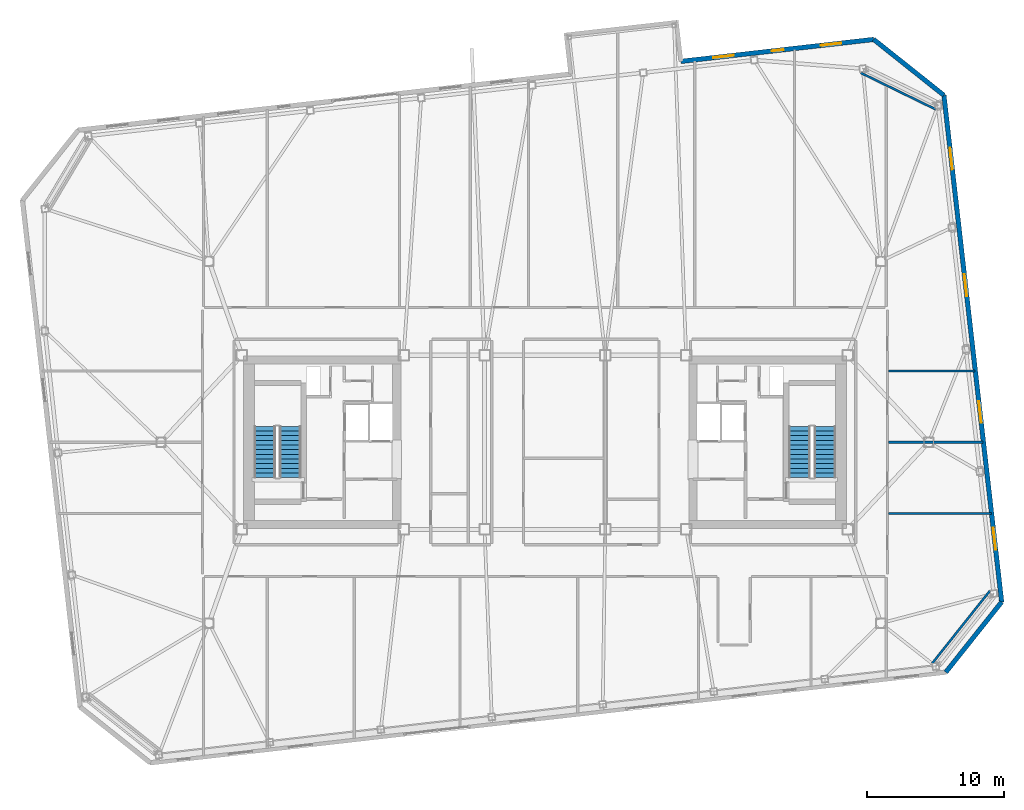
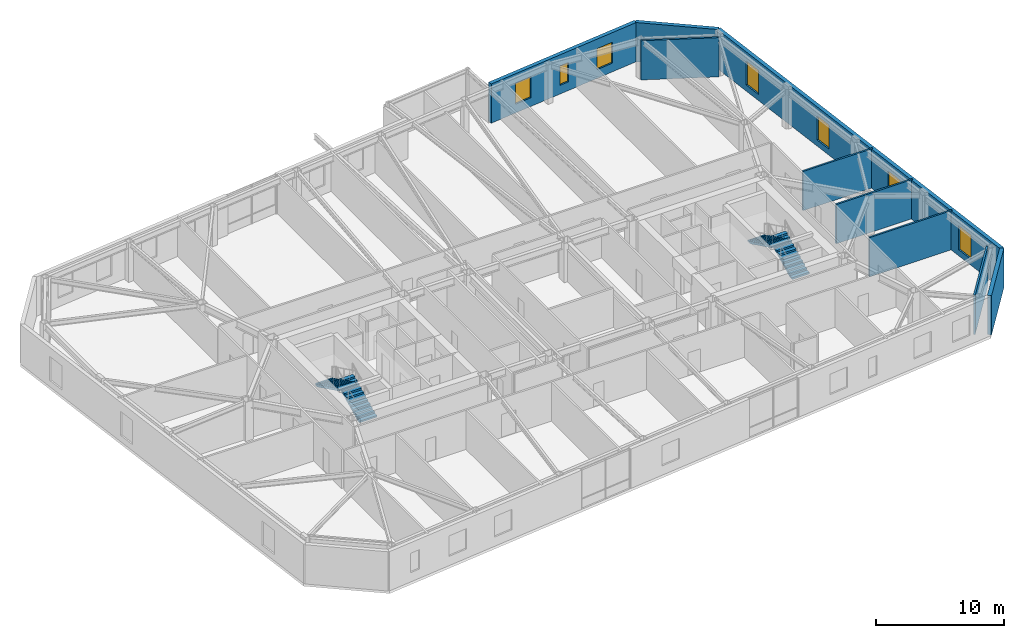
# One storey, part 18 of 21: 9 walls, 7 windows, 4 stair flights, 7 openings, 2 elements without a shape of their own.
"""IFC4 building model written with IfcOpenShell, lengths in metres."""

from ifc_helpers import new_model, si_unit, direction, frame, frame_2d, origin, place, context, subcontext, project, spatial, polyline, rectangle, outline, extrude, material, layer, layer_set, type_object, element, fill, aggregate, save


model = new_model("IFC4")

# Units and contexts
model_context = context("Model", 3, precision=1e-05, world=origin(), true_north=direction((0.0, 1.0)))
body_context = subcontext(model_context, "Body", "Model", "MODEL_VIEW")
ifc_project = project(units=[si_unit("LENGTHUNIT", "METRE"), si_unit("AREAUNIT", "SQUARE_METRE"), si_unit("VOLUMEUNIT", "CUBIC_METRE"), si_unit("PLANEANGLEUNIT", "RADIAN"), si_unit("MASSUNIT", "GRAM", prefix="KILO")], contexts=[model_context])

# Site, building, storey
site_placement = place(None, origin())
site = spatial("IfcSite", under=ifc_project, at=site_placement, CompositionType="ELEMENT")
building_placement = place(site_placement, origin())
building = spatial("IfcBuilding", under=site, at=building_placement, Name="Tavrogorsk Clinical Tower", CompositionType="ELEMENT")
storey_placement = place(building_placement, frame((0.0, 0.0, 247.0)))
storey = spatial("IfcBuildingStorey", under=building, at=storey_placement, Name="L57", CompositionType="ELEMENT", Elevation=247.0)

# Walls
ifc_material_1 = material(Name="Lightweight concrete blockwork B15", Category="masonry")
ifc_layer_1 = layer(ifc_material_1, 0.159912109375)
ifc_layer_set_1 = layer_set([ifc_layer_1], Name="Lightweight concrete blockwork B15")
wall_type_1 = type_object("IfcWallType", Name="PartitionWall_160", PredefinedType="PARTITIONING", material=ifc_layer_set_1)
wall_1_placement = place(storey_placement, frame((28.242431640625, -16.1337890625, 0.0), z_axis=(0.0, 0.0, 1.0), x_axis=(0.622521563328, 0.782602647064, 0.0)))
element("IfcWall", 1, at=wall_1_placement, inside=storey, type_object=wall_type_1, Name="L57 Corner Exoskeleton Brace Furring Wall 1", PredefinedType="PARTITIONING", context=body_context, shape_type="SweptSolid", body=[
    extrude(rectangle(XDim=6.788330078125, YDim=0.159912109375, at=frame_2d((3.39404296875, 0.0))), origin(), (0.0, 0.0, 1.0), 3.739990234375),
])
wall_2_placement = place(storey_placement, frame((28.5283203125, 24.27099609375, 0.0), z_axis=(0.0, 0.0, 1.0), x_axis=(-0.898820692789, 0.438316509173, 0.0)))
element("IfcWall", 2, at=wall_2_placement, inside=storey, type_object=wall_type_1, Name="L57 Corner Exoskeleton Brace Furring Wall 2", PredefinedType="PARTITIONING", context=body_context, shape_type="SweptSolid", body=[
    extrude(rectangle(XDim=6.10693359375, YDim=0.159912109375, at=frame_2d((3.053466796875, 0.0))), origin(), (0.0, 0.0, 1.0), 3.739990234375),
])
wall_3_placement = place(storey_placement, frame((25.06494140625, -5.199951171875, 0.0), z_axis=(0.0, 0.0, 1.0), x_axis=(1.0, 0.0, 0.0)))
element("IfcWall", 3, at=wall_3_placement, inside=storey, type_object=wall_type_1, Name="L57 E Wing Divider 1", PredefinedType="PARTITIONING", context=body_context, shape_type="SweptSolid", body=[
    extrude(rectangle(XDim=7.498046875, YDim=0.159912109375, at=frame_2d((3.7490234375, 0.0))), origin(), (0.0, 0.0, 1.0), 3.739990234375),
])
wall_4_placement = place(storey_placement, frame((25.06494140625, 0.0, 0.0), z_axis=(0.0, 0.0, 1.0), x_axis=(1.0, 0.0, 0.0)))
element("IfcWall", 4, at=wall_4_placement, inside=storey, type_object=wall_type_1, Name="L57 E Wing Divider 2", PredefinedType="PARTITIONING", context=body_context, shape_type="SweptSolid", body=[
    extrude(rectangle(XDim=6.905517578125, YDim=0.159912109375, at=frame_2d((3.45263671875, 0.0))), origin(), (0.0, 0.0, 1.0), 3.739990234375),
])
wall_5_placement = place(storey_placement, frame((25.06494140625, 5.199951171875, 0.0), z_axis=(0.0, 0.0, 1.0), x_axis=(1.0, 0.0, 0.0)))
element("IfcWall", 5, at=wall_5_placement, inside=storey, type_object=wall_type_1, Name="L57 E Wing Divider 3", PredefinedType="PARTITIONING", context=body_context, shape_type="SweptSolid", body=[
    extrude(rectangle(XDim=6.313232421875, YDim=0.159912109375, at=frame_2d((3.15673828125, 0.0))), origin(), (0.0, 0.0, 1.0), 3.739990234375),
])

# Wall, openings, windows
ifc_material_2 = material(Name="Precast concrete B45 with limestone cladding", Category="masonry")
ifc_layer_2 = layer(ifc_material_2, 0.340087890625)
ifc_layer_set_2 = layer_set([ifc_layer_2], Name="Precast concrete B45 with limestone cladding")
wall_type_2 = type_object("IfcWallType", Name="PrecastLimestoneWall_340", PredefinedType="STANDARD", material=ifc_layer_set_2)
wall_6_placement = place(storey_placement, frame((23.982666015625, 29.38623046875, 0.0), z_axis=(0.0, 0.0, 1.0), x_axis=(-0.993572041858, -0.113201579666, 0.0)))
wall_6 = element("IfcWall", 6, at=wall_6_placement, inside=storey, type_object=wall_type_2, Name="L57 N Limestone Facade Wall 1", PredefinedType="STANDARD", context=body_context, shape_type="SweptSolid", body=[
    extrude(rectangle(XDim=14.150146484375, YDim=0.340087890625, at=frame_2d((7.0751953125, 0.0))), origin(), (0.0, 0.0, 1.0), 3.739990234375),
])
opening_1_placement = place(wall_6_placement, frame((10.27880859375, 0.0, 0.830078125)))
opening_1 = element("IfcOpeningElement", 7, at=opening_1_placement, cuts=wall_6, Name="Opening WN-05", PredefinedType="OPENING", context=body_context, shape_type="SweptSolid", body=[
    extrude(rectangle(XDim=1.5, YDim=2.0, at=frame_2d((0.75, 1.0))), frame((0.0, 0.179931640625, 0.0), z_axis=(0.0, -1.0, 0.0), x_axis=(1.0, 0.0, 0.0)), (0.0, 0.0, 1.0), 0.360107421875),
])
opening_2_placement = place(wall_6_placement, frame((6.623046875, 0.0, 0.830078125)))
opening_2 = element("IfcOpeningElement", 8, at=opening_2_placement, cuts=wall_6, Name="Opening WN-06", PredefinedType="OPENING", context=body_context, shape_type="SweptSolid", body=[
    extrude(rectangle(XDim=0.85009765625, YDim=1.85009765625, at=frame_2d((0.425048828125, 0.925048828125))), frame((0.0, 0.179931640625, 0.0), z_axis=(0.0, -1.0, 0.0), x_axis=(1.0, 0.0, 0.0)), (0.0, 0.0, 1.0), 0.360107421875),
])
opening_3_placement = place(wall_6_placement, frame((2.385986328125, 0.0, 0.830078125)))
opening_3 = element("IfcOpeningElement", 9, at=opening_3_placement, cuts=wall_6, Name="Opening WN-05", PredefinedType="OPENING", context=body_context, shape_type="SweptSolid", body=[
    extrude(rectangle(XDim=1.5, YDim=2.0, at=frame_2d((0.75, 1.0))), frame((0.0, 0.179931640625, 0.0), z_axis=(0.0, -1.0, 0.0), x_axis=(1.0, 0.0, 0.0)), (0.0, 0.0, 1.0), 0.360107421875),
])
ifc_material_3 = material(Name="Thermally broken aluminium frame and triple IGU", Category="aluminium")
window_type_1 = type_object("IfcWindowType", Name="ConsultWin_1500x2000", PartitioningType="SINGLE_PANEL", PredefinedType="WINDOW", material=ifc_material_3)
window_1_placement = place(opening_1_placement, origin())
window_1 = element("IfcWindow", 10, at=window_1_placement, inside=storey, type_object=window_type_1, Name="L57 N Chicago Window 08", OverallHeight=2.0, OverallWidth=1.5, PartitioningType="SINGLE_PANEL", PredefinedType="WINDOW", context=body_context, shape_type="SweptSolid", body=[
    extrude(rectangle(XDim=1.5, YDim=2.0, at=frame_2d((0.75, 1.0))), frame((0.0, 0.030029296875, 0.0), z_axis=(0.0, -1.0, 0.0), x_axis=(1.0, 0.0, 0.0)), (0.0, 0.0, 1.0), 0.06005859375),
])
fill(opening_1, window_1)
window_2_placement = place(opening_3_placement, origin())
window_2 = element("IfcWindow", 11, at=window_2_placement, inside=storey, type_object=window_type_1, Name="L57 N Chicago Window 10", OverallHeight=2.0, OverallWidth=1.5, PartitioningType="SINGLE_PANEL", PredefinedType="WINDOW", context=body_context, shape_type="SweptSolid", body=[
    extrude(rectangle(XDim=1.5, YDim=2.0, at=frame_2d((0.75, 1.0))), frame((0.0, 0.030029296875, 0.0), z_axis=(0.0, -1.0, 0.0), x_axis=(1.0, 0.0, 0.0)), (0.0, 0.0, 1.0), 0.06005859375),
])
fill(opening_3, window_2)
ifc_material_4 = material(Name="Thermally broken aluminium frame and triple IGU", Category="aluminium")
window_type_2 = type_object("IfcWindowType", Name="MullionSubWin_850x1850", PartitioningType="SINGLE_PANEL", PredefinedType="WINDOW", material=ifc_material_4)
window_3_placement = place(opening_2_placement, origin())
window_3 = element("IfcWindow", 12, at=window_3_placement, inside=storey, type_object=window_type_2, Name="L57 N Mullion Split Window 09B", OverallHeight=1.85009765625, OverallWidth=0.85009765625, PartitioningType="SINGLE_PANEL", PredefinedType="WINDOW", context=body_context, shape_type="SweptSolid", body=[
    extrude(rectangle(XDim=0.85009765625, YDim=1.85009765625, at=frame_2d((0.425048828125, 0.925048828125))), frame((0.0, 0.030029296875, 0.0), z_axis=(0.0, -1.0, 0.0), x_axis=(1.0, 0.0, 0.0)), (0.0, 0.0, 1.0), 0.06005859375),
])
fill(opening_2, window_3)

wall_7_placement = place(storey_placement, frame((33.318115234375, -11.65087890625, 0.0), z_axis=(0.0, 0.0, 1.0), x_axis=(-0.11320360501, 0.9935718111, 0.0)))
wall_7 = element("IfcWall", 13, at=wall_7_placement, inside=storey, type_object=wall_type_2, Name="L57 E Pleated Limestone Wing Wall", PredefinedType="STANDARD", context=body_context, shape_type="SweptSolid", body=[
    extrude(rectangle(XDim=37.199951171875, YDim=0.340087890625, at=frame_2d((18.60009765625, 0.0))), origin(), (0.0, 0.0, 1.0), 3.739990234375),
])
opening_4_placement = place(wall_7_placement, frame((3.85009765625, 0.0, 0.580078125)))
opening_4 = element("IfcOpeningElement", 14, at=opening_4_placement, cuts=wall_7, Name="Opening WN-07", PredefinedType="OPENING", context=body_context, shape_type="SweptSolid", body=[
    extrude(rectangle(XDim=1.60009765625, YDim=2.300048828125, at=frame_2d((0.800048828125, 1.14990234375))), frame((0.0, 0.179931640625, 0.0), z_axis=(0.0, -1.0, 0.0), x_axis=(1.0, 0.0, 0.0)), (0.0, 0.0, 1.0), 0.360107421875),
])
opening_5_placement = place(wall_7_placement, frame((13.14990234375, 0.0, 0.580078125)))
opening_5 = element("IfcOpeningElement", 15, at=opening_5_placement, cuts=wall_7, Name="Opening WN-07", PredefinedType="OPENING", context=body_context, shape_type="SweptSolid", body=[
    extrude(rectangle(XDim=1.60009765625, YDim=2.300048828125, at=frame_2d((0.800048828125, 1.14990234375))), frame((0.0, 0.179931640625, 0.0), z_axis=(0.0, -1.0, 0.0), x_axis=(1.0, 0.0, 0.0)), (0.0, 0.0, 1.0), 0.360107421875),
])
opening_6_placement = place(wall_7_placement, frame((22.449951171875, 0.0, 0.580078125)))
opening_6 = element("IfcOpeningElement", 16, at=opening_6_placement, cuts=wall_7, Name="Opening WN-07", PredefinedType="OPENING", context=body_context, shape_type="SweptSolid", body=[
    extrude(rectangle(XDim=1.60009765625, YDim=2.300048828125, at=frame_2d((0.800048828125, 1.14990234375))), frame((0.0, 0.179931640625, 0.0), z_axis=(0.0, -1.0, 0.0), x_axis=(1.0, 0.0, 0.0)), (0.0, 0.0, 1.0), 0.360107421875),
])
opening_7_placement = place(wall_7_placement, frame((31.75, 0.0, 0.580078125)))
opening_7 = element("IfcOpeningElement", 17, at=opening_7_placement, cuts=wall_7, Name="Opening WN-07", PredefinedType="OPENING", context=body_context, shape_type="SweptSolid", body=[
    extrude(rectangle(XDim=1.60009765625, YDim=2.300048828125, at=frame_2d((0.800048828125, 1.14990234375))), frame((0.0, 0.179931640625, 0.0), z_axis=(0.0, -1.0, 0.0), x_axis=(1.0, 0.0, 0.0)), (0.0, 0.0, 1.0), 0.360107421875),
])
ifc_material_5 = material(Name="Thermally broken aluminium frame and triple IGU", Category="aluminium")
window_type_3 = type_object("IfcWindowType", Name="PleatSlotWin_1600x2300", PartitioningType="SINGLE_PANEL", PredefinedType="WINDOW", material=ifc_material_5)
window_4_placement = place(opening_4_placement, origin())
window_4 = element("IfcWindow", 18, at=window_4_placement, inside=storey, type_object=window_type_3, Name="L57 E Pleat Slot Window 1", OverallHeight=2.300048828125, OverallWidth=1.60009765625, PartitioningType="SINGLE_PANEL", PredefinedType="WINDOW", context=body_context, shape_type="SweptSolid", body=[
    extrude(rectangle(XDim=1.60009765625, YDim=2.300048828125, at=frame_2d((0.800048828125, 1.14990234375))), frame((0.0, 0.030029296875, 0.0), z_axis=(0.0, -1.0, 0.0), x_axis=(1.0, 0.0, 0.0)), (0.0, 0.0, 1.0), 0.06005859375),
])
fill(opening_4, window_4)
window_5_placement = place(opening_5_placement, origin())
window_5 = element("IfcWindow", 19, at=window_5_placement, inside=storey, type_object=window_type_3, Name="L57 E Pleat Slot Window 2", OverallHeight=2.300048828125, OverallWidth=1.60009765625, PartitioningType="SINGLE_PANEL", PredefinedType="WINDOW", context=body_context, shape_type="SweptSolid", body=[
    extrude(rectangle(XDim=1.60009765625, YDim=2.300048828125, at=frame_2d((0.800048828125, 1.14990234375))), frame((0.0, 0.030029296875, 0.0), z_axis=(0.0, -1.0, 0.0), x_axis=(1.0, 0.0, 0.0)), (0.0, 0.0, 1.0), 0.06005859375),
])
fill(opening_5, window_5)
window_6_placement = place(opening_6_placement, origin())
window_6 = element("IfcWindow", 20, at=window_6_placement, inside=storey, type_object=window_type_3, Name="L57 E Pleat Slot Window 3", OverallHeight=2.300048828125, OverallWidth=1.60009765625, PartitioningType="SINGLE_PANEL", PredefinedType="WINDOW", context=body_context, shape_type="SweptSolid", body=[
    extrude(rectangle(XDim=1.60009765625, YDim=2.300048828125, at=frame_2d((0.800048828125, 1.14990234375))), frame((0.0, 0.030029296875, 0.0), z_axis=(0.0, -1.0, 0.0), x_axis=(1.0, 0.0, 0.0)), (0.0, 0.0, 1.0), 0.06005859375),
])
fill(opening_6, window_6)
window_7_placement = place(opening_7_placement, origin())
window_7 = element("IfcWindow", 21, at=window_7_placement, inside=storey, type_object=window_type_3, Name="L57 E Pleat Slot Window 4", OverallHeight=2.300048828125, OverallWidth=1.60009765625, PartitioningType="SINGLE_PANEL", PredefinedType="WINDOW", context=body_context, shape_type="SweptSolid", body=[
    extrude(rectangle(XDim=1.60009765625, YDim=2.300048828125, at=frame_2d((0.800048828125, 1.14990234375))), frame((0.0, 0.030029296875, 0.0), z_axis=(0.0, -1.0, 0.0), x_axis=(1.0, 0.0, 0.0)), (0.0, 0.0, 1.0), 0.06005859375),
])
fill(opening_7, window_7)

# Walls
for number, where, z_axis, x_axis, name in (
    (22, (29.241943359375, -16.775146484375, 0.0), (0.0, 0.0, 1.0), (0.62252823689, 0.78259733853, 0.0), "L57 Chamfered Corner Wall 1"),
    (23, (29.10693359375, 25.31005859375, 0.0), (0.0, 0.0, 1.0), (-0.78259733853, 0.62252823689, 0.0), "L57 Chamfered Corner Wall 2"),
):
    element("IfcWall", number, at=place(storey_placement, frame(where, z_axis=z_axis, x_axis=x_axis)), inside=storey, type_object=wall_type_2, Name=name, PredefinedType="STANDARD", context=body_context, shape_type="SweptSolid", body=[
        extrude(rectangle(XDim=6.5478515625, YDim=0.340087890625, at=frame_2d((3.27392578125, 0.0))), origin(), (0.0, 0.0, 1.0), 3.739990234375),
    ])

# Stair, stair flights
ifc_material_6 = material(Name="Concrete B60", Category="concrete")
stair_type = type_object("IfcStairType", Name="CoreStairAssembly", PredefinedType="HALF_TURN_STAIR", material=ifc_material_6)
stair_1_placement = place(storey_placement, origin())
stair_1 = element("IfcStair", 24, at=stair_1_placement, inside=storey, type_object=stair_type, Name="L57 ST-W", PredefinedType="HALF_TURN_STAIR")
ifc_material_7 = material(Name="Concrete B60", Category="concrete")
stair_flight_type = type_object("IfcStairFlightType", Name="CoreStairFlight", PredefinedType="STRAIGHT", material=ifc_material_7)
stair_flight_1_placement = place(storey_placement, frame((-18.574951171875, -2.574951171875, 0.0), z_axis=(0.0, 0.0, 1.0), x_axis=(0.0, 1.0, 0.0)))
stair_flight_1 = element("IfcStairFlight", 25, at=stair_flight_1_placement, type_object=stair_flight_type, Name="ST-W flight 1", NumberOfRisers=12, NumberOfTreads=11, PredefinedType="STRAIGHT", RiserHeight=0.166666667, TreadLength=0.34, context=body_context, shape_type="SweptSolid", body=[
    extrude(outline(polyline([(0.0, 0.0), (0.0, 0.166748046875), (0.340087890625, 0.166748046875), (0.340087890625, 0.333251953125), (0.679931640625, 0.333251953125), (0.679931640625, 0.5), (1.02001953125, 0.5), (1.02001953125, 0.666748046875), (1.360107421875, 0.666748046875), (1.360107421875, 0.833251953125), (1.699951171875, 0.833251953125), (1.699951171875, 1.0), (2.0400390625, 1.0), (2.0400390625, 1.166748046875), (2.3798828125, 1.166748046875), (2.3798828125, 1.333251953125), (2.719970703125, 1.333251953125), (2.719970703125, 1.5), (3.06005859375, 1.5), (3.06005859375, 1.666748046875), (3.39990234375, 1.666748046875), (3.39990234375, 1.833251953125), (3.739990234375, 1.833251953125), (3.739990234375, 2.0), (3.739990234375, 1.66650390625), (0.340576171875, 0.0), (0.0, 0.0)])), frame((0.0, 0.77490234375, 0.0), z_axis=(0.0, -1.0, 0.0), x_axis=(1.0, 0.0, 0.0)), (0.0, 0.0, 1.0), 1.550048828125),
])
stair_flight_2_placement = place(storey_placement, frame((-20.425048828125, 1.1650390625, 2.0), z_axis=(0.0, 0.0, 1.0), x_axis=(0.0, -1.0, 0.0)))
stair_flight_2 = element("IfcStairFlight", 26, at=stair_flight_2_placement, type_object=stair_flight_type, Name="ST-W flight 2", NumberOfRisers=12, NumberOfTreads=11, PredefinedType="STRAIGHT", RiserHeight=0.166666667, TreadLength=0.34, context=body_context, shape_type="SweptSolid", body=[
    extrude(outline(polyline([(0.0, 0.0), (0.0, 0.166748046875), (0.340087890625, 0.166748046875), (0.340087890625, 0.333251953125), (0.679931640625, 0.333251953125), (0.679931640625, 0.5), (1.02001953125, 0.5), (1.02001953125, 0.666748046875), (1.360107421875, 0.666748046875), (1.360107421875, 0.833251953125), (1.699951171875, 0.833251953125), (1.699951171875, 1.0), (2.0400390625, 1.0), (2.0400390625, 1.166748046875), (2.3798828125, 1.166748046875), (2.3798828125, 1.333251953125), (2.719970703125, 1.333251953125), (2.719970703125, 1.5), (3.06005859375, 1.5), (3.06005859375, 1.666748046875), (3.39990234375, 1.666748046875), (3.39990234375, 1.833251953125), (3.739990234375, 1.833251953125), (3.739990234375, 2.0), (3.739990234375, 1.66650390625), (0.340576171875, 0.0), (0.0, 0.0)])), frame((0.0, 0.77490234375, 0.0), z_axis=(0.0, -1.0, 0.0), x_axis=(1.0, 0.0, 0.0)), (0.0, 0.0, 1.0), 1.550048828125),
])
aggregate(stair_1, [stair_flight_1, stair_flight_2])

stair_2_placement = place(storey_placement, origin())
stair_2 = element("IfcStair", 27, at=stair_2_placement, inside=storey, type_object=stair_type, Name="L57 ST-E", PredefinedType="HALF_TURN_STAIR")
stair_flight_3_placement = place(storey_placement, frame((20.425048828125, -2.574951171875, 0.0), z_axis=(0.0, 0.0, 1.0), x_axis=(0.0, 1.0, 0.0)))
stair_flight_3 = element("IfcStairFlight", 28, at=stair_flight_3_placement, type_object=stair_flight_type, Name="ST-E flight 1", NumberOfRisers=12, NumberOfTreads=11, PredefinedType="STRAIGHT", RiserHeight=0.166666667, TreadLength=0.34, context=body_context, shape_type="SweptSolid", body=[
    extrude(outline(polyline([(0.0, 0.0), (0.0, 0.166748046875), (0.340087890625, 0.166748046875), (0.340087890625, 0.333251953125), (0.679931640625, 0.333251953125), (0.679931640625, 0.5), (1.02001953125, 0.5), (1.02001953125, 0.666748046875), (1.360107421875, 0.666748046875), (1.360107421875, 0.833251953125), (1.699951171875, 0.833251953125), (1.699951171875, 1.0), (2.0400390625, 1.0), (2.0400390625, 1.166748046875), (2.3798828125, 1.166748046875), (2.3798828125, 1.333251953125), (2.719970703125, 1.333251953125), (2.719970703125, 1.5), (3.06005859375, 1.5), (3.06005859375, 1.666748046875), (3.39990234375, 1.666748046875), (3.39990234375, 1.833251953125), (3.739990234375, 1.833251953125), (3.739990234375, 2.0), (3.739990234375, 1.66650390625), (0.340576171875, 0.0), (0.0, 0.0)])), frame((0.0, 0.77490234375, 0.0), z_axis=(0.0, -1.0, 0.0), x_axis=(1.0, 0.0, 0.0)), (0.0, 0.0, 1.0), 1.550048828125),
])
stair_flight_4_placement = place(storey_placement, frame((18.574951171875, 1.1650390625, 2.0), z_axis=(0.0, 0.0, 1.0), x_axis=(0.0, -1.0, 0.0)))
stair_flight_4 = element("IfcStairFlight", 29, at=stair_flight_4_placement, type_object=stair_flight_type, Name="ST-E flight 2", NumberOfRisers=12, NumberOfTreads=11, PredefinedType="STRAIGHT", RiserHeight=0.166666667, TreadLength=0.34, context=body_context, shape_type="SweptSolid", body=[
    extrude(outline(polyline([(0.0, 0.0), (0.0, 0.166748046875), (0.340087890625, 0.166748046875), (0.340087890625, 0.333251953125), (0.679931640625, 0.333251953125), (0.679931640625, 0.5), (1.02001953125, 0.5), (1.02001953125, 0.666748046875), (1.360107421875, 0.666748046875), (1.360107421875, 0.833251953125), (1.699951171875, 0.833251953125), (1.699951171875, 1.0), (2.0400390625, 1.0), (2.0400390625, 1.166748046875), (2.3798828125, 1.166748046875), (2.3798828125, 1.333251953125), (2.719970703125, 1.333251953125), (2.719970703125, 1.5), (3.06005859375, 1.5), (3.06005859375, 1.666748046875), (3.39990234375, 1.666748046875), (3.39990234375, 1.833251953125), (3.739990234375, 1.833251953125), (3.739990234375, 2.0), (3.739990234375, 1.66650390625), (0.340576171875, 0.0), (0.0, 0.0)])), frame((0.0, 0.77490234375, 0.0), z_axis=(0.0, -1.0, 0.0), x_axis=(1.0, 0.0, 0.0)), (0.0, 0.0, 1.0), 1.550048828125),
])
aggregate(stair_2, [stair_flight_3, stair_flight_4])

save(model, "model.ifc")
